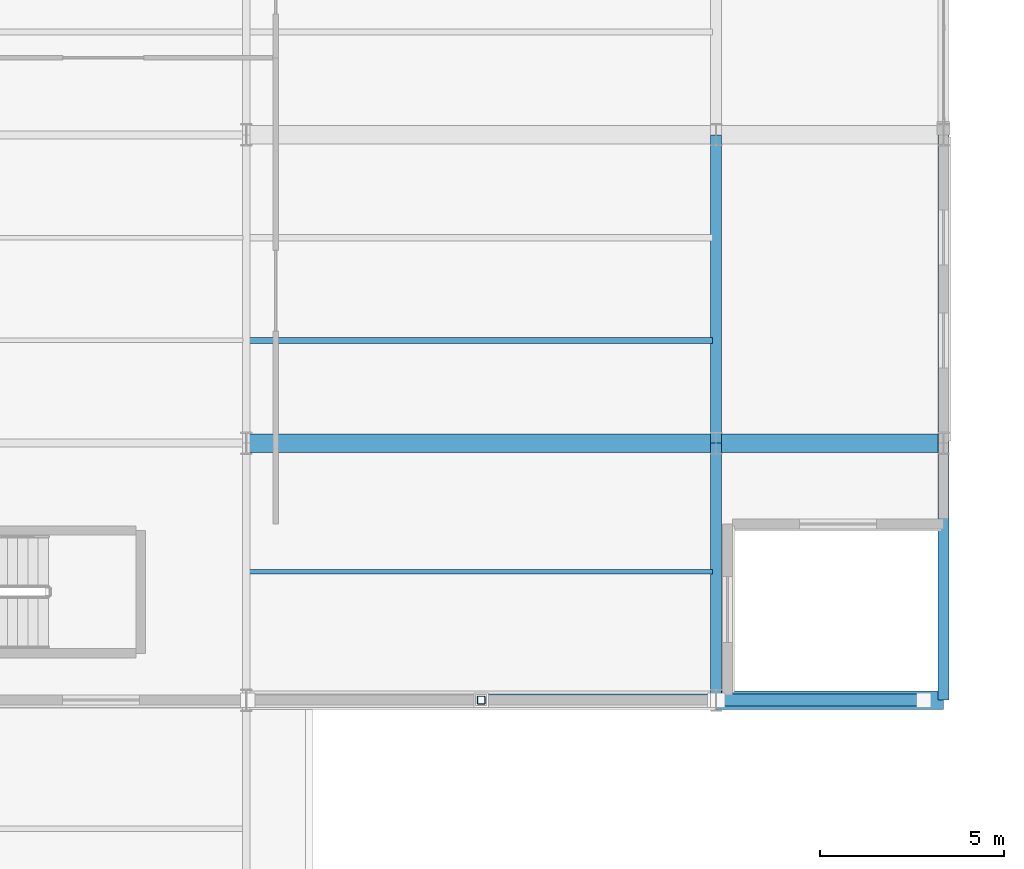
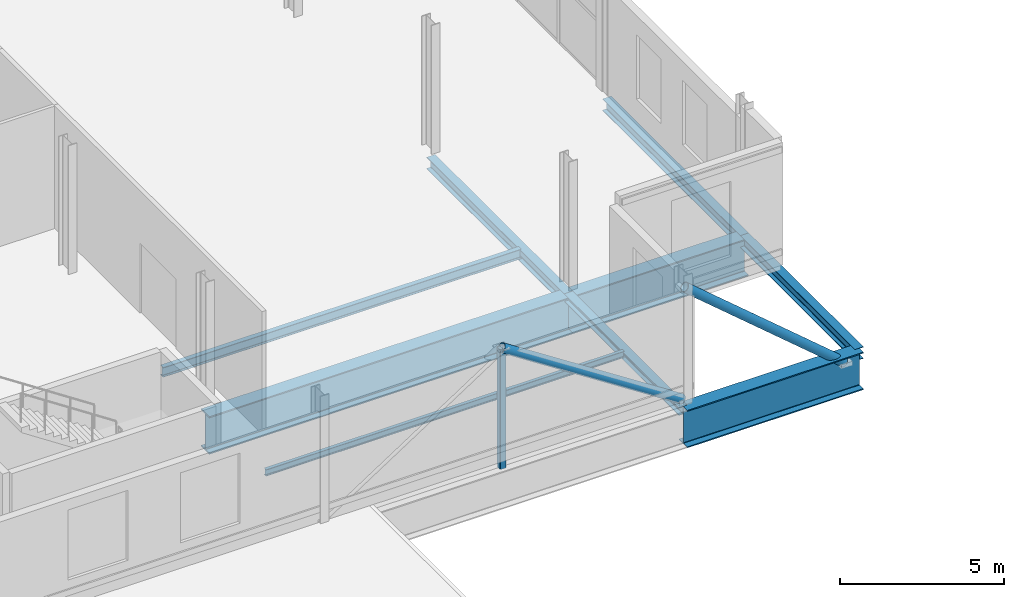
# One storey, part 58 of 120: 9 beams, 3 members.
"""IFC4 building model written with IfcOpenShell, lengths in metres."""

import ifcopenshell
import ifcopenshell.guid

model = None  # the IFC model being written
_history = None  # IfcOwnerHistory: only IFC2X3 demands one
_inside = {}  # id of a spatial element -> (the spatial element, [elements in it])
_under = {}  # id of a project, library or spatial element -> (it, [spatial elements below it])
_declared = {}  # id of a project -> (the project, [libraries it declares])
_typed = {}  # id of a type object -> (the type object, [elements of that type])
_made_of = {}  # id of a material, layer set ... -> (it, [elements and type objects made of it])


def new_model(schema):
    """Start an empty IFC model of exactly this schema.

    Asked for "IFC4X3", IfcOpenShell would pick the latest addendum, in which some entities
    have other attributes; the version numbers below select the first issue.
    IFC2X3 requires an IfcOwnerHistory on every rooted entity: one is made here for all.
    """
    global model, _history
    if schema == "IFC4X3":
        model = ifcopenshell.file(schema_version=(4, 3, 0, 0))
    else:
        model = ifcopenshell.file(schema=schema)
    _inside.clear()
    _under.clear()
    _declared.clear()
    _typed.clear()
    _made_of.clear()
    _history = None
    if model.schema == "IFC2X3":
        org = make("IfcOrganization", Name="unknown")
        user = make(
            "IfcPersonAndOrganization",
            ThePerson=make("IfcPerson", FamilyName="unknown"),
            TheOrganization=org,
        )
        app = make(
            "IfcApplication",
            ApplicationDeveloper=org,
            Version="unknown",
            ApplicationFullName="unknown",
            ApplicationIdentifier="unknown",
        )
        _history = make(
            "IfcOwnerHistory",
            OwningUser=user,
            OwningApplication=app,
            ChangeAction="ADDED",
            CreationDate=0,
        )
    return model


def make(cls, **values):
    """One entity of the class cls with the attributes given. An attribute that is None is left unset."""
    return model.create_entity(
        cls, **{name: value for name, value in values.items() if value is not None}
    )


def rooted(cls, **values):
    """An entity with a GlobalId (a new one), such as an element, a storey or a relation."""
    return make(cls, GlobalId=ifcopenshell.guid.new(), OwnerHistory=_history, **values)


def si_unit(unit_type, name, prefix=None):
    """IfcSIUnit, for example si_unit("LENGTHUNIT", "METRE", prefix="MILLI")."""
    return make("IfcSIUnit", UnitType=unit_type, Prefix=prefix, Name=name)


def assignment(units):
    """IfcUnitAssignment: the units of a project."""
    return None if units is None else make("IfcUnitAssignment", Units=units)


def point(xyz):
    """IfcCartesianPoint."""
    return None if xyz is None else make("IfcCartesianPoint", Coordinates=xyz)


def direction(xyz):
    """IfcDirection."""
    return None if xyz is None else make("IfcDirection", DirectionRatios=xyz)


def frame(location, z_axis=None, x_axis=None):
    """IfcAxis2Placement3D, a coordinate frame: its origin and axes. An axis left out is left unset."""
    return make(
        "IfcAxis2Placement3D",
        Location=point(location),
        Axis=direction(z_axis),
        RefDirection=direction(x_axis),
    )


def frame_2d(location, x_axis=None):
    """IfcAxis2Placement2D, a coordinate frame in the plane: its origin and x axis."""
    return make(
        "IfcAxis2Placement2D", Location=point(location), RefDirection=direction(x_axis)
    )


def origin():
    """The frame at (0, 0, 0) with its axes left unset."""
    return frame((0.0, 0.0, 0.0))


def origin_2d():
    """The frame at (0, 0) in the plane with its x axis left unset."""
    return frame_2d((0.0, 0.0))


def place(relative_to, where):
    """IfcLocalPlacement: puts the frame where relative to a parent placement (None: the world)."""
    return make(
        "IfcLocalPlacement", PlacementRelTo=relative_to, RelativePlacement=where
    )


def context(
    kind, dimensions, precision=None, world=None, true_north=None, identifier=None
):
    """IfcGeometricRepresentationContext, for example the 3D "Model" context."""
    return make(
        "IfcGeometricRepresentationContext",
        ContextIdentifier=identifier,
        ContextType=kind,
        CoordinateSpaceDimension=dimensions,
        Precision=precision,
        WorldCoordinateSystem=world,
        TrueNorth=true_north,
    )


def subcontext(parent, identifier, kind, view, scale=None):
    """IfcGeometricRepresentationSubContext, for example "Body" below "Model"."""
    return make(
        "IfcGeometricRepresentationSubContext",
        ContextIdentifier=identifier,
        ContextType=kind,
        ParentContext=parent,
        TargetScale=scale,
        TargetView=view,
    )


def project(units=None, contexts=None):
    """IfcProject with its units and contexts."""
    return rooted(
        "IfcProject",
        Name="project",
        RepresentationContexts=contexts,
        UnitsInContext=assignment(units),
    )


def spatial(cls, under=None, at=None, **own):
    """A site, building, storey or space (cls), placed at a placement, below another one or the project."""
    s = rooted(cls, ObjectPlacement=at, **own)
    if under is not None:
        _under.setdefault(under.id(), (under, []))[1].append(s)
    return s


def profile(cls, at=None, kind="AREA", **sizes):
    """A parametric profile (cls). Its sizes go by their IFC names, for example OverallWidth=200.0."""
    return make(cls, ProfileType=kind, Position=at, **sizes)


def hollow_rectangle(**sizes):
    """IfcRectangleHollowProfileDef."""
    return profile("IfcRectangleHollowProfileDef", **sizes)


def hollow_circle(**sizes):
    """IfcCircleHollowProfileDef."""
    return profile("IfcCircleHollowProfileDef", **sizes)


def i_section(**sizes):
    """IfcIShapeProfileDef."""
    return profile("IfcIShapeProfileDef", **sizes)


def extrude(swept, where, along, depth):
    """IfcExtrudedAreaSolid: the profile swept, set in the frame where, extruded along a direction by depth."""
    return make(
        "IfcExtrudedAreaSolid",
        SweptArea=swept,
        Position=where,
        ExtrudedDirection=direction(along),
        Depth=depth,
    )


def shape(context_of_items, identifier, shape_type, items):
    """IfcShapeRepresentation: the items that make up one representation, for example the "Body"."""
    return make(
        "IfcShapeRepresentation",
        ContextOfItems=context_of_items,
        RepresentationIdentifier=identifier,
        RepresentationType=shape_type,
        Items=items,
    )


def material(Name=None, Category=None):
    """IfcMaterial."""
    return make("IfcMaterial", Name=Name, Category=Category)


def material_profile(
    of_material, cross_section, Name=None, Category=None, Priority=None
):
    """IfcMaterialProfile: a cross section and its material."""
    return make(
        "IfcMaterialProfile",
        Name=Name,
        Material=of_material,
        Profile=cross_section,
        Priority=Priority,
        Category=Category,
    )


def profile_set(profiles, Name=None, composite=None):
    """IfcMaterialProfileSet."""
    return make(
        "IfcMaterialProfileSet",
        Name=Name,
        MaterialProfiles=profiles,
        CompositeProfile=composite,
    )


def made_of(thing, what):
    """Note that an element or type object is made of a material, layer set ...; save() writes the relation."""
    if what is not None:
        _made_of.setdefault(what.id(), (what, []))[1].append(thing)
    return thing


def type_object(cls, material=None, **own):
    """A type object (cls), such as IfcWallType, which elements share."""
    return made_of(rooted(cls, **own), material)


def element(
    cls,
    number,
    at=None,
    inside=None,
    cuts=None,
    type_object=None,
    material=None,
    context=None,
    identifier="Body",
    shape_type=None,
    held_by="IfcProductDefinitionShape",
    body=None,
    shapes=None,
    **own,
):
    """One element of the class cls, such as IfcWall. Its Tag is "e" and its number.

    at: its placement. inside: the storey or other place that contains it. cuts: it is an
    opening in that element (IfcRelVoidsElement). A single representation is given by context,
    identifier, shape_type and body (its items); several are given by shapes. held_by: the class
    of the entity that holds the representations. save() writes the other relations.
    """
    e = rooted(cls, Tag="e%d" % number, ObjectPlacement=at, **own)
    if body is not None:
        shapes = [shape(context, identifier, shape_type, body)]
    if shapes is not None:
        e.Representation = make(held_by, Representations=shapes)
    if inside is not None:
        _inside.setdefault(inside.id(), (inside, []))[1].append(e)
    if cuts is not None:
        rooted(
            "IfcRelVoidsElement", RelatingBuildingElement=cuts, RelatedOpeningElement=e
        )
    if type_object is not None:
        _typed.setdefault(type_object.id(), (type_object, []))[1].append(e)
    return made_of(e, material)


def aggregate(whole, parts):
    """IfcRelAggregates: a whole, such as a stair, and the parts it consists of."""
    return rooted("IfcRelAggregates", RelatingObject=whole, RelatedObjects=parts)


def save(model, path):
    """Write the relations noted so far, then the file.

    IfcRelAggregates (storeys below a building ...), IfcRelContainedInSpatialStructure (elements
    in a storey), IfcRelDefinesByType, IfcRelAssociatesMaterial and IfcRelDeclares: one each for
    every whole, place, type object, material and project.
    """
    for whole, parts in _under.values():
        aggregate(whole, parts)
    for where, things in _inside.values():
        rooted(
            "IfcRelContainedInSpatialStructure",
            RelatedElements=things,
            RelatingStructure=where,
        )
    for kind, things in _typed.values():
        rooted("IfcRelDefinesByType", RelatedObjects=things, RelatingType=kind)
    for what, things in _made_of.values():
        rooted("IfcRelAssociatesMaterial", RelatedObjects=things, RelatingMaterial=what)
    for by, libraries in _declared.values():
        rooted("IfcRelDeclares", RelatingContext=by, RelatedDefinitions=libraries)
    model.write(path)


model = new_model("IFC4")

# Units and contexts
model_context = context("Model", 3, precision=1e-05, world=origin(), true_north=direction((0.0, 1.0)))
body_context = subcontext(model_context, "Body", "Model", "MODEL_VIEW")
ifc_project = project(units=[si_unit("LENGTHUNIT", "METRE"), si_unit("AREAUNIT", "SQUARE_METRE"), si_unit("VOLUMEUNIT", "CUBIC_METRE"), si_unit("PLANEANGLEUNIT", "RADIAN"), si_unit("MASSUNIT", "GRAM", prefix="KILO")], contexts=[model_context])

# Site, building, storey
site_placement = place(None, origin())
site = spatial("IfcSite", under=ifc_project, at=site_placement, CompositionType="ELEMENT")
building_placement = place(site_placement, origin())
building = spatial("IfcBuilding", under=site, at=building_placement, Name="Vekula Escarpment Museum", CompositionType="ELEMENT")
storey_placement = place(building_placement, frame((0.0, 0.0, 13.199951171875)))
storey = spatial("IfcBuildingStorey", under=building, at=storey_placement, Name="L03", CompositionType="ELEMENT", Elevation=13.199951171875)

# Beams
ifc_material_1 = material(Name="Steel S355", Category="steel")
ifc_material_profile_1 = material_profile(ifc_material_1, i_section(OverallWidth=0.5, OverallDepth=1.39990234375, WebThickness=0.02392578125, FlangeThickness=0.0400390625, FilletRadius=0.02392578125, at=origin_2d()), Name="WPG 1400x500")
ifc_profile_set_1 = profile_set([ifc_material_profile_1], Name="Steel S355")
beam_type_1 = type_object("IfcBeamType", Name="BM-CUMBA-GIRD", PredefinedType="BEAM", material=ifc_profile_set_1)
beam_1_placement = place(storey_placement, frame((179.0, 59.60009765625, -0.97998046875), z_axis=(1.0, 0.0, 0.0), x_axis=(0.0, 1.0, 0.0)))
element("IfcBeam", 1, at=beam_1_placement, inside=storey, type_object=beam_type_1, Name="Beam X L03 1355", PredefinedType="BEAM", context=body_context, shape_type="SweptSolid", body=[
    extrude(i_section(OverallWidth=0.5, OverallDepth=1.39990234375, WebThickness=0.02392578125, FlangeThickness=0.0400390625, FilletRadius=0.02392578125, at=origin_2d()), origin(), (0.0, 0.0, 1.0), 12.800048828125),
])
for number, where, z_axis, x_axis, name in (
    (2, (191.800048828125, 52.60009765625, -0.97998046875), (1.0, 0.0, 0.0), (0.0, 1.0, 0.0), "Cumba Cantilever Transfer Girder L03 2363"),
    (3, (191.800048828125, 59.60009765625, -0.97998046875), (1.0, 0.0, 0.0), (0.0, 1.0, 0.0), "Cumba Cantilever Transfer Girder L03 2364"),
):
    element("IfcBeam", number, at=place(storey_placement, frame(where, z_axis=z_axis, x_axis=x_axis)), inside=storey, type_object=beam_type_1, Name=name, PredefinedType="BEAM", context=body_context, shape_type="SweptSolid", body=[
        extrude(i_section(OverallWidth=0.5, OverallDepth=1.39990234375, WebThickness=0.02392578125, FlangeThickness=0.0400390625, FilletRadius=0.02392578125, at=origin_2d()), origin(), (0.0, 0.0, 1.0), 6.199951171875),
    ])
ifc_material_2 = material(Name="Steel S355", Category="steel")
ifc_material_profile_2 = material_profile(ifc_material_2, i_section(OverallWidth=0.1201171875, OverallDepth=0.239990234375, WebThickness=0.006103515625, FlangeThickness=0.009765625, FilletRadius=0.014892578125, at=origin_2d()), Name="IPE 240")
ifc_profile_set_2 = profile_set([ifc_material_profile_2], Name="Steel S355")
beam_type_2 = type_object("IfcBeamType", Name="BM-JST-IPE240", PredefinedType="JOIST", material=ifc_profile_set_2)
beam_2_placement = place(storey_placement, frame((179.090087890625, 56.10009765625, -0.39990234375), z_axis=(1.0, 0.0, 0.0), x_axis=(0.0, 1.0, 0.0)))
element("IfcBeam", 4, at=beam_2_placement, inside=storey, type_object=beam_type_2, Name="Secondary Joist L03 1116", PredefinedType="JOIST", context=body_context, shape_type="SweptSolid", body=[
    extrude(i_section(OverallWidth=0.1201171875, OverallDepth=0.239990234375, WebThickness=0.006103515625, FlangeThickness=0.009765625, FilletRadius=0.014892578125, at=origin_2d()), origin(), (0.0, 0.0, 1.0), 12.619873046875),
])
ifc_material_3 = material(Name="Steel S355", Category="steel")
ifc_material_profile_3 = material_profile(ifc_material_3, i_section(OverallWidth=0.169921875, OverallDepth=0.360107421875, WebThickness=0.008056640625, FlangeThickness=0.0126953125, FilletRadius=0.01806640625, at=origin_2d()), Name="IPE 360")
ifc_profile_set_3 = profile_set([ifc_material_profile_3], Name="Steel S355")
beam_type_3 = type_object("IfcBeamType", Name="BM-JST-IPE360", PredefinedType="JOIST", material=ifc_profile_set_3)
beam_3_placement = place(storey_placement, frame((179.090087890625, 62.39990234375, -0.4599609375), z_axis=(1.0, 0.0, 0.0), x_axis=(0.0, 1.0, 0.0)))
element("IfcBeam", 5, at=beam_3_placement, inside=storey, type_object=beam_type_3, Name="Secondary Joist L03 1117", PredefinedType="JOIST", context=body_context, shape_type="SweptSolid", body=[
    extrude(i_section(OverallWidth=0.169921875, OverallDepth=0.360107421875, WebThickness=0.008056640625, FlangeThickness=0.0126953125, FilletRadius=0.01806640625, at=origin_2d()), origin(), (0.0, 0.0, 1.0), 12.619873046875),
])
ifc_material_4 = material(Name="Steel S355", Category="steel")
ifc_material_profile_4 = material_profile(ifc_material_4, i_section(OverallWidth=0.300048828125, OverallDepth=0.2900390625, WebThickness=0.008544921875, FlangeThickness=0.013916015625, FilletRadius=0.027099609375, at=origin_2d()), Name="HEA 300")
ifc_profile_set_4 = profile_set([ifc_material_profile_4], Name="Steel S355")
beam_type_4 = type_object("IfcBeamType", Name="BM-SPAN-HEA300", PredefinedType="SPANDREL", material=ifc_profile_set_4)
beam_4_placement = place(storey_placement, frame((191.800048828125, 52.60009765625, -0.425048828125), z_axis=(0.0, 1.0, 0.0), x_axis=(-1.0, 0.0, 0.0)))
element("IfcBeam", 6, at=beam_4_placement, inside=storey, type_object=beam_type_4, Name="Beam Y L03 1673", PredefinedType="SPANDREL", context=body_context, shape_type="SweptSolid", body=[
    extrude(i_section(OverallWidth=0.300048828125, OverallDepth=0.2900390625, WebThickness=0.008544921875, FlangeThickness=0.013916015625, FilletRadius=0.027099609375, at=origin_2d()), origin(), (0.0, 0.0, 1.0), 7.0),
])
ifc_material_5 = material(Name="Steel S355", Category="steel")
ifc_material_profile_5 = material_profile(ifc_material_5, i_section(OverallWidth=0.300048828125, OverallDepth=0.43994140625, WebThickness=0.011474609375, FlangeThickness=0.02099609375, FilletRadius=0.027099609375, at=origin_2d()), Name="HEA 450")
ifc_profile_set_5 = profile_set([ifc_material_profile_5], Name="Steel S355")
beam_type_5 = type_object("IfcBeamType", Name="BM-SPAN-HEA450", PredefinedType="SPANDREL", material=ifc_profile_set_5)
beam_5_placement = place(storey_placement, frame((191.800048828125, 59.60009765625, -0.5), z_axis=(0.0, 1.0, 0.0), x_axis=(-1.0, 0.0, 0.0)))
element("IfcBeam", 7, at=beam_5_placement, inside=storey, type_object=beam_type_5, Name="Beam Y L03 1674", PredefinedType="SPANDREL", context=body_context, shape_type="SweptSolid", body=[
    extrude(i_section(OverallWidth=0.300048828125, OverallDepth=0.43994140625, WebThickness=0.011474609375, FlangeThickness=0.02099609375, FilletRadius=0.027099609375, at=origin_2d()), origin(), (0.0, 0.0, 1.0), 8.39990234375),
])
beam_6_placement = place(storey_placement, frame((198.0, 52.60009765625, -0.5), z_axis=(0.0, 1.0, 0.0), x_axis=(-1.0, 0.0, 0.0)))
element("IfcBeam", 8, at=beam_6_placement, inside=storey, type_object=beam_type_5, Name="Cumba East Spandrel L03 2374", PredefinedType="SPANDREL", context=body_context, shape_type="SweptSolid", body=[
    extrude(i_section(OverallWidth=0.300048828125, OverallDepth=0.43994140625, WebThickness=0.011474609375, FlangeThickness=0.02099609375, FilletRadius=0.027099609375, at=origin_2d()), origin(), (0.0, 0.0, 1.0), 7.0),
])
beam_7_placement = place(storey_placement, frame((198.0, 59.60009765625, -0.5), z_axis=(0.0, 1.0, 0.0), x_axis=(-1.0, 0.0, 0.0)))
element("IfcBeam", 9, at=beam_7_placement, inside=storey, type_object=beam_type_5, Name="Cumba East Spandrel L03 2375", PredefinedType="SPANDREL", context=body_context, shape_type="SweptSolid", body=[
    extrude(i_section(OverallWidth=0.300048828125, OverallDepth=0.43994140625, WebThickness=0.011474609375, FlangeThickness=0.02099609375, FilletRadius=0.027099609375, at=origin_2d()), origin(), (0.0, 0.0, 1.0), 8.39990234375),
])

# Members
ifc_material_6 = material(Name="Steel S355", Category="steel")
ifc_material_profile_6 = material_profile(ifc_material_6, hollow_rectangle(XDim=0.219970703125, YDim=0.219970703125, WallThickness=0.011962890625, InnerFilletRadius=0.011962890625, OuterFilletRadius=0.02392578125, at=origin_2d()), Name="SHS 220x220x12")
ifc_profile_set_6 = profile_set([ifc_material_profile_6], Name="Steel S355")
member_type_1 = type_object("IfcMemberType", Name="MB-POST-SHS220", PredefinedType="STRUT", material=ifc_profile_set_6)
member_1_placement = place(storey_placement, frame((185.39990234375, 52.60009765625, -0.300048828125), z_axis=(0.0, 0.0, 1.0), x_axis=(1.0, 0.0, 0.0)))
element("IfcMember", 10, at=member_1_placement, inside=storey, type_object=member_type_1, Name="Transfer Truss Post 01", PredefinedType="STRUT", context=body_context, shape_type="SweptSolid", body=[
    extrude(hollow_rectangle(XDim=0.219970703125, YDim=0.219970703125, WallThickness=0.011962890625, InnerFilletRadius=0.011962890625, OuterFilletRadius=0.02392578125, at=origin_2d()), origin(), (0.0, 0.0, 1.0), 4.4501953125),
])
ifc_material_7 = material(Name="Steel S355", Category="steel")
ifc_material_profile_7 = material_profile(ifc_material_7, hollow_circle(Radius=0.161865234375, WallThickness=0.01611328125, at=origin_2d()), Name="CHS 323.9x16")
ifc_profile_set_7 = profile_set([ifc_material_profile_7], Name="Steel S355")
member_type_2 = type_object("IfcMemberType", Name="MB-PRATT-DIAG", PredefinedType="BRACE", material=ifc_profile_set_7)
member_2_placement = place(storey_placement, frame((191.85009765625, 52.60009765625, 4.150146484375), z_axis=(0.76260256891, 0.0, -0.646867313978), x_axis=(0.0, 1.0, 0.0)))
element("IfcMember", 11, at=member_2_placement, inside=storey, type_object=member_type_2, Name="Transfer Truss Diagonal 01A", PredefinedType="BRACE", context=body_context, shape_type="SweptSolid", body=[
    extrude(hollow_circle(Radius=0.161865234375, WallThickness=0.01611328125, at=origin_2d()), origin(), (0.0, 0.0, 1.0), 7.343017578125),
])
member_3_placement = place(storey_placement, frame((185.39990234375, 52.60009765625, 4.150146484375), z_axis=(0.838288948985, 0.0, -0.545226226451), x_axis=(0.0, 1.0, 0.0)))
element("IfcMember", 12, at=member_3_placement, inside=storey, type_object=member_type_2, Name="Transfer Truss Back-Span Diagonal 01B2", PredefinedType="BRACE", context=body_context, shape_type="SweptSolid", body=[
    extrude(hollow_circle(Radius=0.161865234375, WallThickness=0.01611328125, at=origin_2d()), origin(), (0.0, 0.0, 1.0), 7.574951171875),
])

save(model, "model.ifc")
